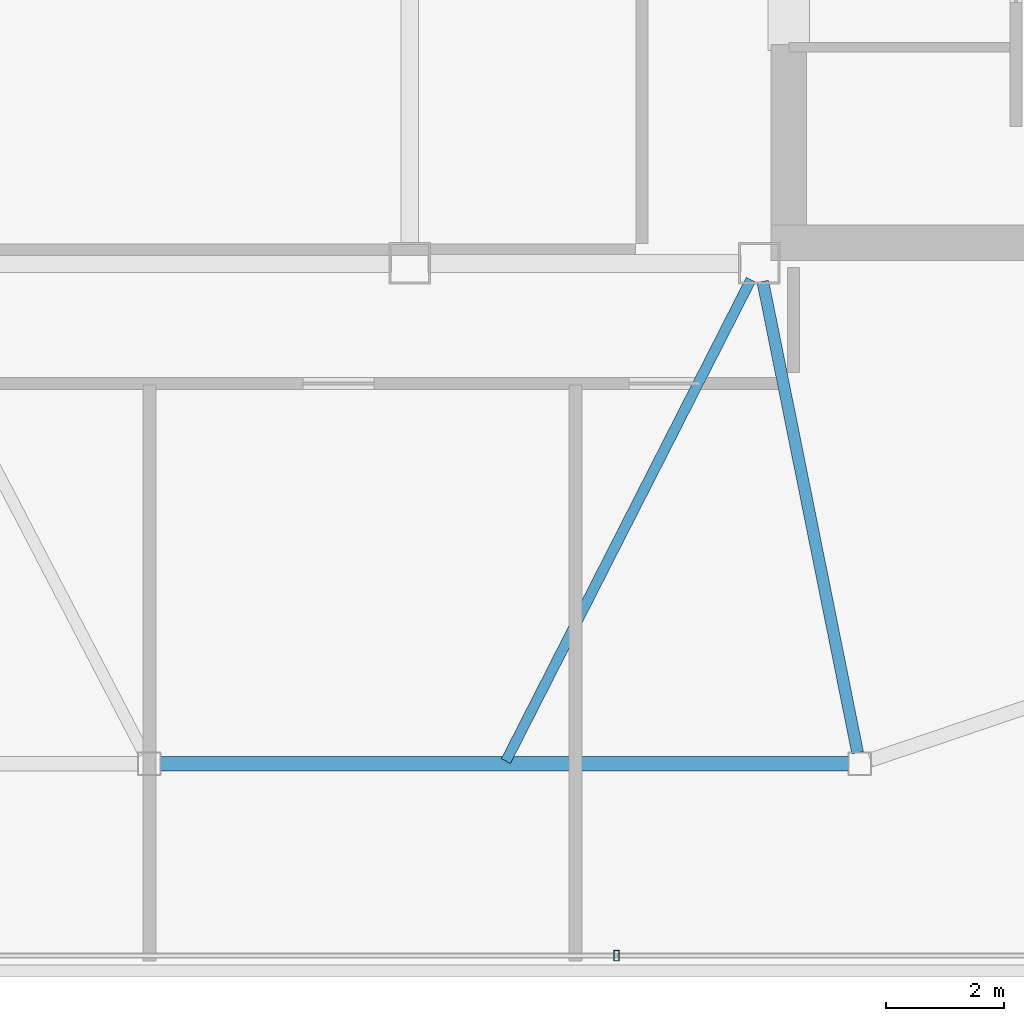
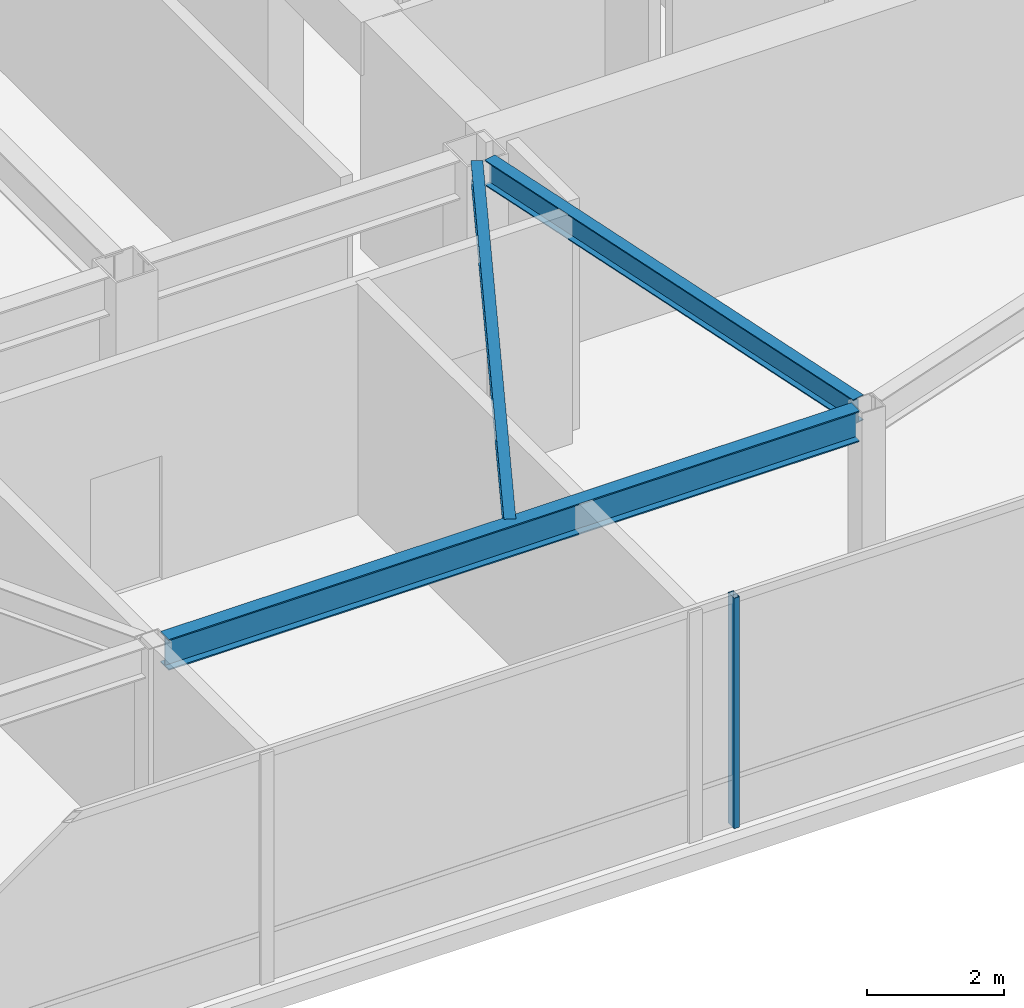
# One storey, part 8 of 22: 3 beams, 1 member, 1 element without a shape of its own.
"""IFC4 building model written with IfcOpenShell, lengths in metres."""

from ifc_helpers import new_model, si_unit, direction, frame, origin, origin_2d, place, context, subcontext, project, spatial, hollow_rectangle, i_section, extrude, material, layer, layer_set, material_profile, profile_set, type_object, element, aggregate, save


model = new_model("IFC4")

# Units and contexts
model_context = context("Model", 3, precision=1e-05, world=origin(), true_north=direction((0.0, 1.0)))
body_context = subcontext(model_context, "Body", "Model", "MODEL_VIEW")
ifc_project = project(units=[si_unit("LENGTHUNIT", "METRE"), si_unit("AREAUNIT", "SQUARE_METRE"), si_unit("VOLUMEUNIT", "CUBIC_METRE"), si_unit("PLANEANGLEUNIT", "RADIAN"), si_unit("MASSUNIT", "GRAM", prefix="KILO")], contexts=[model_context])

# Site, building, storey
site_placement = place(None, origin())
site = spatial("IfcSite", under=ifc_project, at=site_placement, CompositionType="ELEMENT")
building_placement = place(site_placement, origin())
building = spatial("IfcBuilding", under=site, at=building_placement, Name="Tavrogorsk Clinical Tower", CompositionType="ELEMENT")
storey_placement = place(building_placement, frame((0.0, 0.0, 339.800048828125)))
storey = spatial("IfcBuildingStorey", under=building, at=storey_placement, Name="L79", CompositionType="ELEMENT", Elevation=339.800048828125)

# Curtain wall, member
ifc_material_1 = material(Name="Anodised aluminium and triple IGU glazing", Category="aluminium")
ifc_layer = layer(ifc_material_1, 0.179931640625)
ifc_layer_set = layer_set([ifc_layer], Name="Anodised aluminium and triple IGU glazing")
curtain_wall_type = type_object("IfcCurtainWallType", Name="CW6_TmdLantern", PredefinedType="NOTDEFINED", material=ifc_layer_set)
curtain_wall_placement = place(storey_placement, origin())
curtain_wall = element("IfcCurtainWall", 1, at=curtain_wall_placement, inside=storey, type_object=curtain_wall_type, Name="L79 Curtain Wall CW-L79-DRUM-8", PredefinedType="NOTDEFINED")
ifc_material_2 = material(Name="Anodised aluminium alloy AW-6060", Category="aluminium")
ifc_material_profile_1 = material_profile(ifc_material_2, hollow_rectangle(XDim=0.090087890625, YDim=0.179931640625, WallThickness=0.00634765625, at=origin_2d()), Name="RHS-180x90x6.3")
ifc_profile_set_1 = profile_set([ifc_material_profile_1], Name="Anodised aluminium alloy AW-6060")
member_type = type_object("IfcMemberType", Name="CwMullion_180x90", PredefinedType="MULLION", material=ifc_profile_set_1)
member_placement = place(storey_placement, frame((7.891357421875, -18.0400390625, 0.0), z_axis=(0.0, 0.0, 1.0), x_axis=(-1.0, 0.0, 0.0)))
member = element("IfcMember", 2, at=member_placement, type_object=member_type, Name="CW-L79-DRUM-8 Mullion 2", PredefinedType="MULLION", context=body_context, shape_type="SweptSolid", body=[
    extrude(hollow_rectangle(XDim=0.090087890625, YDim=0.179931640625, WallThickness=0.00634765625, at=origin_2d()), origin(), (0.0, 0.0, 1.0), 4.099853515625),
])
aggregate(curtain_wall, [member])

# Beams
ifc_material_3 = material(Name="Structural steel S355", Category="steel")
ifc_material_profile_2 = material_profile(ifc_material_3, i_section(OverallWidth=0.199951171875, OverallDepth=0.449951171875, WebThickness=0.011474609375, FlangeThickness=0.01806640625, at=origin_2d()), Name="B-450x200x11.5x18")
ifc_profile_set_2 = profile_set([ifc_material_profile_2], Name="Structural steel S355")
beam_type_1 = type_object("IfcBeamType", Name="FloorBeam_B450", PredefinedType="BEAM", material=ifc_profile_set_2)
beam_1_placement = place(storey_placement, frame((10.361083984375, -6.65380859375, 3.875), z_axis=(0.197249355273, -0.980353350504, 0.0), x_axis=(0.980353350504, 0.197249355273, 0.0)))
element("IfcBeam", 3, at=beam_1_placement, inside=storey, type_object=beam_type_1, Name="L79 Crown Radial Beam 03", PredefinedType="BEAM", context=body_context, shape_type="SweptSolid", body=[
    extrude(i_section(OverallWidth=0.199951171875, OverallDepth=0.449951171875, WebThickness=0.011474609375, FlangeThickness=0.01806640625, at=origin_2d()), origin(), (0.0, 0.0, 1.0), 8.119384765625),
])
ifc_material_4 = material(Name="Structural steel S355", Category="steel")
ifc_material_profile_3 = material_profile(ifc_material_4, i_section(OverallWidth=0.175048828125, OverallDepth=0.35009765625, WebThickness=0.009521484375, FlangeThickness=0.013916015625, at=origin_2d()), Name="B-350x175x9.5x14")
ifc_profile_set_3 = profile_set([ifc_material_profile_3], Name="Structural steel S355")
beam_type_2 = type_object("IfcBeamType", Name="SecondaryJoist_B350", PredefinedType="JOIST", material=ifc_profile_set_3)
beam_2_placement = place(storey_placement, frame((10.159423828125, -6.626220703125, 3.925048828125), z_axis=(-0.4535299827, -0.891241019474, 0.0), x_axis=(0.891241019474, -0.4535299827, 0.0)))
element("IfcBeam", 4, at=beam_2_placement, inside=storey, type_object=beam_type_2, Name="L79 Crown Secondary Joist 02", PredefinedType="JOIST", context=body_context, shape_type="SweptSolid", body=[
    extrude(i_section(OverallWidth=0.175048828125, OverallDepth=0.35009765625, WebThickness=0.009521484375, FlangeThickness=0.013916015625, at=origin_2d()), origin(), (0.0, 0.0, 1.0), 9.12109375),
])
ifc_material_5 = material(Name="Structural steel S390", Category="steel")
ifc_material_profile_4 = material_profile(ifc_material_5, i_section(OverallWidth=0.239990234375, OverallDepth=0.550048828125, WebThickness=0.013916015625, FlangeThickness=0.02197265625, at=origin_2d()), Name="B-550x240x14x22")
ifc_profile_set_4 = profile_set([ifc_material_profile_4], Name="Structural steel S390")
beam_type_3 = type_object("IfcBeamType", Name="SpandrelBeam_B550", PredefinedType="SPANDREL", material=ifc_profile_set_4)
beam_3_placement = place(storey_placement, frame((0.18994140625, -14.800048828125, 3.824951171875), z_axis=(1.0, 0.0, 0.0), x_axis=(0.0, 1.0, 0.0)))
element("IfcBeam", 5, at=beam_3_placement, inside=storey, type_object=beam_type_3, Name="L79 Crown Spandrel Beam 02", PredefinedType="SPANDREL", context=body_context, shape_type="SweptSolid", body=[
    extrude(i_section(OverallWidth=0.239990234375, OverallDepth=0.550048828125, WebThickness=0.013916015625, FlangeThickness=0.02197265625, at=origin_2d()), origin(), (0.0, 0.0, 1.0), 11.6201171875),
])

save(model, "model.ifc")
